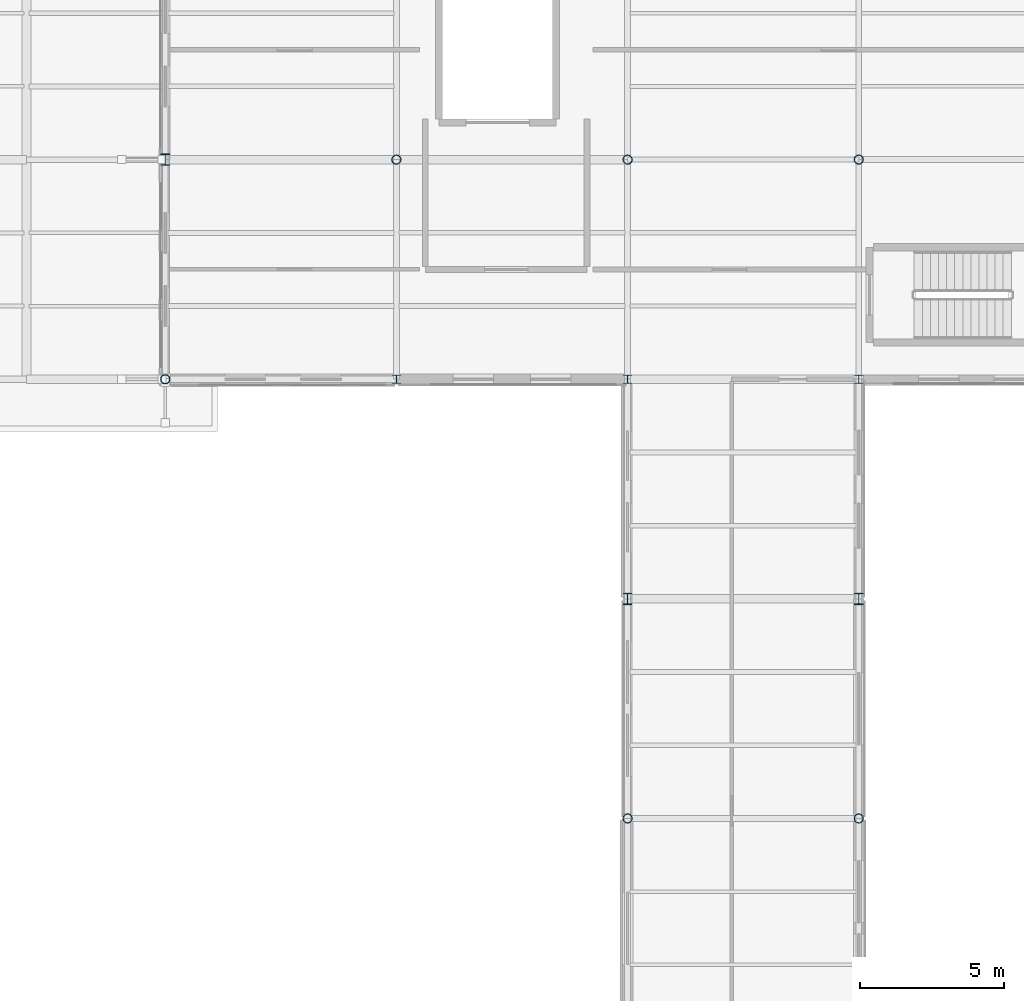
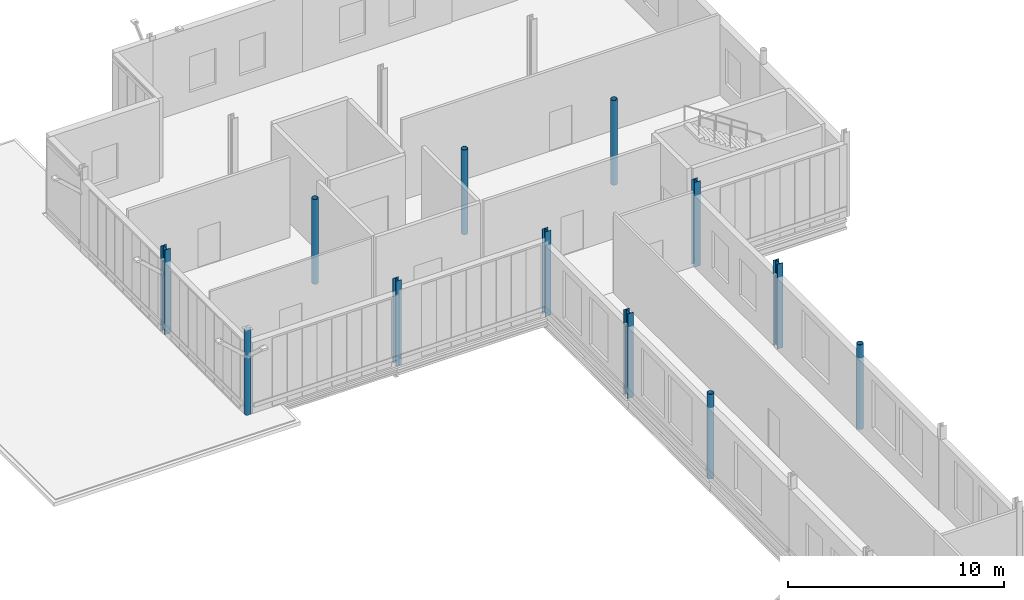
# One storey, part 7 of 120: 12 columns.
"""IFC4 building model written with IfcOpenShell, lengths in metres."""

from ifc_helpers import new_model, si_unit, direction, frame, origin, origin_2d, place, context, subcontext, project, spatial, hollow_circle, i_section, extrude, material, material_profile, profile_set, type_object, element, save


model = new_model("IFC4")

# Units and contexts
model_context = context("Model", 3, precision=1e-05, world=origin(), true_north=direction((0.0, 1.0)))
body_context = subcontext(model_context, "Body", "Model", "MODEL_VIEW")
ifc_project = project(units=[si_unit("LENGTHUNIT", "METRE"), si_unit("AREAUNIT", "SQUARE_METRE"), si_unit("VOLUMEUNIT", "CUBIC_METRE"), si_unit("PLANEANGLEUNIT", "RADIAN"), si_unit("MASSUNIT", "GRAM", prefix="KILO")], contexts=[model_context])

# Site, building, storey
site_placement = place(None, origin())
site = spatial("IfcSite", under=ifc_project, at=site_placement, CompositionType="ELEMENT")
building_placement = place(site_placement, origin())
building = spatial("IfcBuilding", under=site, at=building_placement, Name="Vekula Escarpment Museum", CompositionType="ELEMENT")
storey_placement = place(building_placement, frame((0.0, 0.0, 13.199951171875)))
storey = spatial("IfcBuildingStorey", under=building, at=storey_placement, Name="L03", CompositionType="ELEMENT", Elevation=13.199951171875)

# Columns
ifc_material_1 = material(Name="Steel S355", Category="steel")
ifc_material_profile_1 = material_profile(ifc_material_1, hollow_circle(Radius=0.161865234375, WallThickness=0.01611328125, at=origin_2d()), Name="CHS 323.9x16")
ifc_profile_set_1 = profile_set([ifc_material_profile_1], Name="Steel S355")
column_type_1 = type_object("IfcColumnType", Name="COL-S-CHS323", PredefinedType="COLUMN", material=ifc_profile_set_1)
for number, where, z_axis, x_axis, name in (
    (1, (24.0, 113.199951171875, 0.0), (0.0, 0.0, 1.0), (1.0, 0.0, 0.0), "Column L03 (24.0,113.2)"),
    (2, (32.0, 120.800048828125, 0.0), (0.0, 0.0, 1.0), (1.0, 0.0, 0.0), "Column L03 (32.0,120.8)"),
    (3, (40.0, 98.0, 0.0), (0.0, 0.0, 1.0), (1.0, 0.0, 0.0), "Column L03 (40.0,98.0)"),
    (4, (40.0, 120.800048828125, 0.0), (0.0, 0.0, 1.0), (1.0, 0.0, 0.0), "Column L03 (40.0,120.8)"),
    (5, (48.0, 98.0, 0.0), (0.0, 0.0, 1.0), (1.0, 0.0, 0.0), "Column L03 (48.0,98.0)"),
    (6, (48.0, 120.800048828125, 0.0), (0.0, 0.0, 1.0), (1.0, 0.0, 0.0), "Column L03 (48.0,120.8)"),
):
    element("IfcColumn", number, at=place(storey_placement, frame(where, z_axis=z_axis, x_axis=x_axis)), inside=storey, type_object=column_type_1, Name=name, PredefinedType="COLUMN", context=body_context, shape_type="SweptSolid", body=[
        extrude(hollow_circle(Radius=0.161865234375, WallThickness=0.01611328125, at=origin_2d()), origin(), (0.0, 0.0, 1.0), 4.800048828125),
    ])
ifc_material_2 = material(Name="Steel S355", Category="steel")
ifc_material_profile_2 = material_profile(ifc_material_2, i_section(OverallWidth=0.300048828125, OverallDepth=0.2900390625, WebThickness=0.008544921875, FlangeThickness=0.013916015625, FilletRadius=0.027099609375, at=origin_2d()), Name="HEA 300")
ifc_profile_set_2 = profile_set([ifc_material_profile_2], Name="Steel S355")
column_type_2 = type_object("IfcColumnType", Name="COL-S-HEA300", PredefinedType="COLUMN", material=ifc_profile_set_2)
for number, where, z_axis, x_axis, name in (
    (7, (32.0, 113.199951171875, 0.0), (0.0, 0.0, 1.0), (1.0, 0.0, 0.0), "Column L03 (32.0,113.2)"),
    (8, (40.0, 113.199951171875, 0.0), (0.0, 0.0, 1.0), (1.0, 0.0, 0.0), "Column L03 (40.0,113.2)"),
    (9, (48.0, 113.199951171875, 0.0), (0.0, 0.0, 1.0), (1.0, 0.0, 0.0), "Column L03 (48.0,113.2)"),
):
    element("IfcColumn", number, at=place(storey_placement, frame(where, z_axis=z_axis, x_axis=x_axis)), inside=storey, type_object=column_type_2, Name=name, PredefinedType="COLUMN", context=body_context, shape_type="SweptSolid", body=[
        extrude(i_section(OverallWidth=0.300048828125, OverallDepth=0.2900390625, WebThickness=0.008544921875, FlangeThickness=0.013916015625, FilletRadius=0.027099609375, at=origin_2d()), origin(), (0.0, 0.0, 1.0), 4.800048828125),
    ])
ifc_material_3 = material(Name="Steel S355", Category="steel")
ifc_material_profile_3 = material_profile(ifc_material_3, i_section(OverallWidth=0.300048828125, OverallDepth=0.39990234375, WebThickness=0.013427734375, FlangeThickness=0.02392578125, FilletRadius=0.027099609375, at=origin_2d()), Name="HEB 400")
ifc_profile_set_3 = profile_set([ifc_material_profile_3], Name="Steel S355")
column_type_3 = type_object("IfcColumnType", Name="COL-S-HEB400", PredefinedType="COLUMN", material=ifc_profile_set_3)
for number, where, z_axis, x_axis, name in (
    (10, (24.0, 120.800048828125, 0.0), (0.0, 0.0, 1.0), (1.0, 0.0, 0.0), "Column L03 (24.0,120.8)"),
    (11, (40.0, 105.60009765625, 0.0), (0.0, 0.0, 1.0), (1.0, 0.0, 0.0), "Column L03 (40.0,105.6)"),
    (12, (48.0, 105.60009765625, 0.0), (0.0, 0.0, 1.0), (1.0, 0.0, 0.0), "Column L03 (48.0,105.6)"),
):
    element("IfcColumn", number, at=place(storey_placement, frame(where, z_axis=z_axis, x_axis=x_axis)), inside=storey, type_object=column_type_3, Name=name, PredefinedType="COLUMN", context=body_context, shape_type="SweptSolid", body=[
        extrude(i_section(OverallWidth=0.300048828125, OverallDepth=0.39990234375, WebThickness=0.013427734375, FlangeThickness=0.02392578125, FilletRadius=0.027099609375, at=origin_2d()), origin(), (0.0, 0.0, 1.0), 4.800048828125),
    ])

save(model, "model.ifc")
